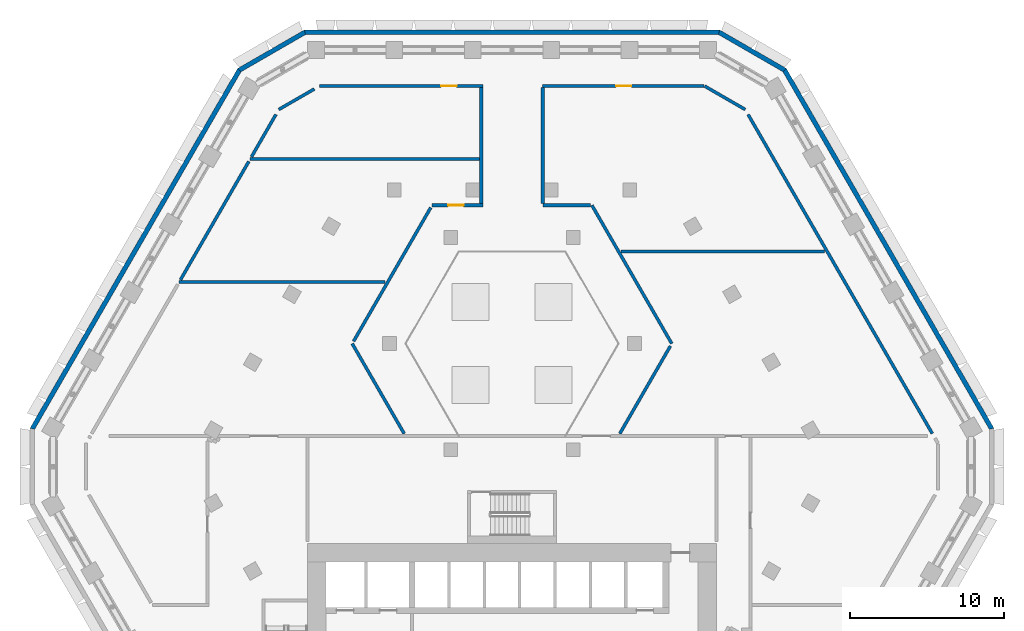
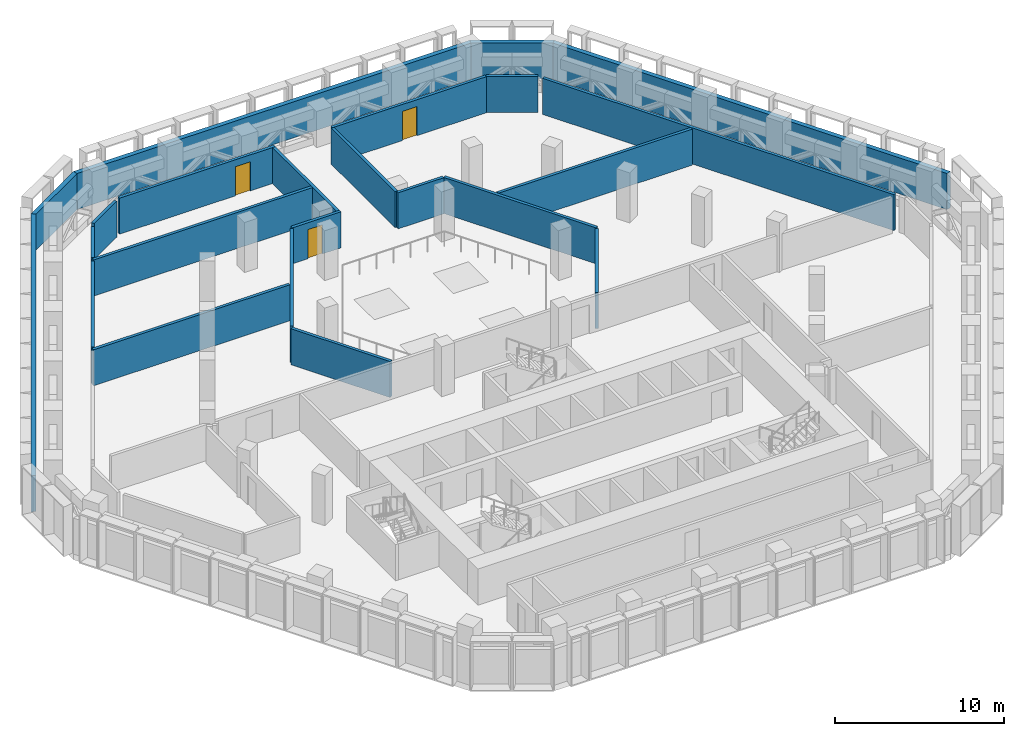
# One storey, part 13 of 22: 23 walls, 3 doors, 3 openings.
"""IFC4 building model written with IfcOpenShell, lengths in metres."""

from ifc_helpers import new_model, si_unit, direction, frame, frame_2d, origin, place, context, subcontext, project, spatial, polyline, rectangle, outline, extrude, material, layer, layer_set, type_object, element, fill, save


model = new_model("IFC4")

# Units and contexts
model_context = context("Model", 3, precision=1e-05, world=origin(), true_north=direction((0.0, 1.0)))
body_context = subcontext(model_context, "Body", "Model", "MODEL_VIEW")
ifc_project = project(units=[si_unit("LENGTHUNIT", "METRE"), si_unit("AREAUNIT", "SQUARE_METRE"), si_unit("VOLUMEUNIT", "CUBIC_METRE"), si_unit("PLANEANGLEUNIT", "RADIAN"), si_unit("MASSUNIT", "GRAM", prefix="KILO")], contexts=[model_context])

# Site, building, storey
site_placement = place(None, origin())
site = spatial("IfcSite", under=ifc_project, at=site_placement, CompositionType="ELEMENT")
building_placement = place(site_placement, origin())
building = spatial("IfcBuilding", under=site, at=building_placement, Name="Beryl Residences", CompositionType="ELEMENT")
storey_placement = place(building_placement, frame((0.0, 0.0, 62.39990234375)))
storey = spatial("IfcBuildingStorey", under=building, at=storey_placement, Name="L19", CompositionType="ELEMENT", Elevation=62.39990234375)

# Walls
ifc_material_1 = material(Name="Composite metal panel with mineral wool insulation")
ifc_layer_1 = layer(ifc_material_1, 0.300048828125)
ifc_layer_set_1 = layer_set([ifc_layer_1], Name="ES1 pale metal composite panel wall 300 mm")
wall_type_1 = type_object("IfcWallType", Name="ES1 pale metal composite panel wall 300 mm", PredefinedType="SOLIDWALL", material=ifc_layer_set_1)
wall_1_placement = place(storey_placement, frame((13.510009765625, 28.25, 0.0), z_axis=(0.0, 0.0, 1.0), x_axis=(-1.0, 0.0, 0.0)))
element("IfcWall", 1, at=wall_1_placement, inside=storey, type_object=wall_type_1, Name="ES1 external wall L19 N", PredefinedType="SOLIDWALL", context=body_context, shape_type="SweptSolid", body=[
    extrude(outline(polyline([(0.0, -0.14990234375), (27.02001953125, -0.14990234375), (26.939697265625, 0.14990234375), (0.080322265625, 0.14990234375), (0.0, -0.14990234375)])), origin(), (0.0, 0.0, 1.0), 2.60009765625),
])
wall_2_placement = place(storey_placement, frame((-13.43505859375, 28.27001953125, 0.0), z_axis=(0.0, 0.0, 1.0), x_axis=(-0.866010750942, -0.50002537861, 0.0)))
element("IfcWall", 2, at=wall_2_placement, inside=storey, type_object=wall_type_1, Name="ES1 external wall L19 N-NW", PredefinedType="SOLIDWALL", context=body_context, shape_type="SweptSolid", body=[
    extrude(outline(polyline([(0.0, -0.14990234375), (4.999755859375, -0.14990234375), (4.91943359375, 0.14990234375), (0.080322265625, 0.14990234375), (0.0, -0.14990234375)])), origin(), (0.0, 0.0, 1.0), 2.60009765625),
])
for number, where, z_axis, x_axis, name in (
    (3, (-17.7099609375, 25.824951171875, 0.0), (0.0, 0.0, 1.0), (-0.500001938803, -0.866024284413, 0.0), "ES1 external wall L19 NW"),
    (4, (31.219970703125, 2.425048828125, 0.0), (0.0, 0.0, 1.0), (-0.500001938803, 0.866024284413, 0.0), "ES1 external wall L19 NE"),
):
    element("IfcWall", number, at=place(storey_placement, frame(where, z_axis=z_axis, x_axis=x_axis)), inside=storey, type_object=wall_type_1, Name=name, PredefinedType="SOLIDWALL", context=body_context, shape_type="SweptSolid", body=[
        extrude(outline(polyline([(0.0, -0.14990234375), (27.02001953125, -0.14990234375), (26.939697265625, 0.14990234375), (0.080322265625, 0.14990234375), (0.0, -0.14990234375)])), origin(), (0.0, 0.0, 1.0), 2.60009765625),
    ])
wall_3_placement = place(storey_placement, frame((17.764892578125, 25.77001953125, 0.0), z_axis=(0.0, 0.0, 1.0), x_axis=(-0.866010750942, 0.50002537861, 0.0)))
element("IfcWall", 5, at=wall_3_placement, inside=storey, type_object=wall_type_1, Name="ES1 external wall L19 NE-N", PredefinedType="SOLIDWALL", context=body_context, shape_type="SweptSolid", body=[
    extrude(outline(polyline([(0.0, -0.14990234375), (4.999755859375, -0.14990234375), (4.91943359375, 0.14990234375), (0.080322265625, 0.14990234375), (0.0, -0.14990234375)])), origin(), (0.0, 0.0, 1.0), 2.60009765625),
])

# Wall, opening, door
ifc_material_2 = material(Name="Concrete masonry", Category="masonry")
ifc_layer_2 = layer(ifc_material_2, 0.199951171875)
ifc_layer_set_2 = layer_set([ifc_layer_2], Name="PT8-200 service room wall 200 mm")
wall_type_2 = type_object("IfcWallType", Name="PT8-200 service room wall 200 mm", PredefinedType="PARTITIONING", material=ifc_layer_set_2)
wall_4_placement = place(storey_placement, frame((-12.531982421875, 24.75, 0.0), z_axis=(0.0, 0.0, 1.0), x_axis=(1.0, 0.0, 0.0)))
wall_4 = element("IfcWall", 6, at=wall_4_placement, inside=storey, type_object=wall_type_2, Name="Wall PT8-200 L19 003", PredefinedType="PARTITIONING", context=body_context, shape_type="SweptSolid", body=[
    extrude(rectangle(XDim=10.632080078125, YDim=0.199951171875, at=frame_2d((5.31591796875, 0.0))), origin(), (0.0, 0.0, 1.0), 2.60009765625),
])
opening_1_placement = place(wall_4_placement, frame((8.927001953125, 0.0, 0.0), z_axis=(0.0, 0.0, 1.0), x_axis=(-1.0, 0.0, 0.0)))
opening_1 = element("IfcOpeningElement", 7, at=opening_1_placement, cuts=wall_4, Name="Opening L19-06", PredefinedType="OPENING", context=body_context, shape_type="SweptSolid", body=[
    extrude(rectangle(XDim=1.0, YDim=2.10009765625, at=frame_2d((0.5, 1.050048828125))), frame((0.0, 0.10986328125, 0.0), z_axis=(0.0, -1.0, 0.0), x_axis=(1.0, 0.0, 0.0)), (0.0, 0.0, 1.0), 0.219970703125),
])
ifc_material_3 = material(Name="Timber door leaf", Category="wood")
door_type_1 = type_object("IfcDoorType", Name="D9 corridor door 1000 x 2100 mm", OperationType="SINGLE_SWING_LEFT", PredefinedType="DOOR", material=ifc_material_3)
door_1_placement = place(opening_1_placement, origin())
door_1 = element("IfcDoor", 8, at=door_1_placement, inside=storey, type_object=door_type_1, Name="Door L19-06 L19 001", OperationType="SINGLE_SWING_LEFT", OverallHeight=2.10009765625, OverallWidth=1.0, PredefinedType="DOOR", context=body_context, shape_type="SweptSolid", body=[
    extrude(rectangle(XDim=1.0, YDim=2.10009765625, at=frame_2d((0.5, 1.050048828125))), frame((0.0, 0.02490234375, 0.0), z_axis=(0.0, -1.0, 0.0), x_axis=(1.0, 0.0, 0.0)), (0.0, 0.0, 1.0), 0.050048828125),
])
fill(opening_1, door_1)

# Walls
wall_5_placement = place(storey_placement, frame((-15.16796875, 23.22802734375, 0.0), z_axis=(0.0, 0.0, 1.0), x_axis=(0.866097299559, 0.499875452184, 0.0)))
element("IfcWall", 9, at=wall_5_placement, inside=storey, type_object=wall_type_2, Name="Wall PT8-200 L19 006", PredefinedType="PARTITIONING", context=body_context, shape_type="SweptSolid", body=[
    extrude(rectangle(XDim=2.670654296875, YDim=0.199951171875, at=frame_2d((1.33544921875, 0.0))), origin(), (0.0, 0.0, 1.0), 2.60009765625),
])
wall_6_placement = place(storey_placement, frame((-16.944091796875, 20.14990234375, 0.0), z_axis=(0.0, 0.0, 1.0), x_axis=(0.499861973965, 0.866105078489, 0.0)))
element("IfcWall", 10, at=wall_6_placement, inside=storey, type_object=wall_type_2, Name="Wall PT8-200 L19 007", PredefinedType="PARTITIONING", context=body_context, shape_type="SweptSolid", body=[
    extrude(rectangle(XDim=3.18115234375, YDim=0.199951171875, at=frame_2d((1.590576171875, 0.0))), origin(), (0.0, 0.0, 1.0), 2.60009765625),
])
ifc_material_4 = material(Name="Concrete C40/50", Category="concrete")
ifc_layer_3 = layer(ifc_material_4, 0.199951171875)
ifc_layer_set_3 = layer_set([ifc_layer_3], Name="PT9-200 plant room wall 200 mm")
wall_type_3 = type_object("IfcWallType", Name="PT9-200 plant room wall 200 mm", PredefinedType="SOLIDWALL", material=ifc_layer_set_3)
wall_7_placement = place(storey_placement, frame((-21.64990234375, 12.0, 0.0), z_axis=(0.0, 0.0, 1.0), x_axis=(1.0, 0.0, 0.0)))
element("IfcWall", 11, at=wall_7_placement, inside=storey, type_object=wall_type_3, Name="Wall PT9-200 L19 006", PredefinedType="SOLIDWALL", context=body_context, shape_type="SweptSolid", body=[
    extrude(rectangle(XDim=13.39697265625, YDim=0.199951171875, at=frame_2d((6.698486328125, 0.0))), origin(), (0.0, 0.0, 1.0), 2.60009765625),
])
wall_8_placement = place(storey_placement, frame((7.097900390625, 14.0, 0.0), z_axis=(0.0, 0.0, 1.0), x_axis=(1.0, 0.0, 0.0)))
element("IfcWall", 12, at=wall_8_placement, inside=storey, type_object=wall_type_3, Name="Wall PT9-200 L19 007", PredefinedType="SOLIDWALL", context=body_context, shape_type="SweptSolid", body=[
    extrude(rectangle(XDim=13.22802734375, YDim=0.199951171875, at=frame_2d((6.614013671875, 0.0))), origin(), (0.0, 0.0, 1.0), 2.60009765625),
])

# Wall, opening, door
wall_9_placement = place(storey_placement, frame((-5.196044921875, 17.0, 0.0), z_axis=(0.0, 0.0, 1.0), x_axis=(1.0, 0.0, 0.0)))
wall_9 = element("IfcWall", 13, at=wall_9_placement, inside=storey, type_object=wall_type_3, Name="Wall PT9-200 L19 008", PredefinedType="SOLIDWALL", context=body_context, shape_type="SweptSolid", body=[
    extrude(rectangle(XDim=3.296142578125, YDim=0.199951171875, at=frame_2d((1.64794921875, 0.0))), origin(), (0.0, 0.0, 1.0), 2.60009765625),
])
opening_2_placement = place(wall_9_placement, frame((1.0419921875, 0.0, 0.0)))
opening_2 = element("IfcOpeningElement", 14, at=opening_2_placement, cuts=wall_9, Name="Opening L19-11", PredefinedType="OPENING", context=body_context, shape_type="SweptSolid", body=[
    extrude(rectangle(XDim=1.0, YDim=2.10009765625, at=frame_2d((0.5, 1.050048828125))), frame((0.0, 0.10986328125, 0.0), z_axis=(0.0, -1.0, 0.0), x_axis=(1.0, 0.0, 0.0)), (0.0, 0.0, 1.0), 0.219970703125),
])
ifc_material_5 = material(Name="Steel door leaf in steel frame", Category="steel")
door_type_2 = type_object("IfcDoorType", Name="D16 plant room door 1000 x 2100 mm", OperationType="SINGLE_SWING_LEFT", PredefinedType="DOOR", material=ifc_material_5)
door_2_placement = place(opening_2_placement, origin())
door_2 = element("IfcDoor", 15, at=door_2_placement, inside=storey, type_object=door_type_2, Name="Door L19-11 L19 001", OperationType="SINGLE_SWING_LEFT", OverallHeight=2.10009765625, OverallWidth=1.0, PredefinedType="DOOR", context=body_context, shape_type="SweptSolid", body=[
    extrude(rectangle(XDim=1.0, YDim=2.10009765625, at=frame_2d((0.5, 1.050048828125))), frame((0.0, 0.02490234375, 0.0), z_axis=(0.0, -1.0, 0.0), x_axis=(1.0, 0.0, 0.0)), (0.0, 0.0, 1.0), 0.050048828125),
])
fill(opening_2, door_2)

# Walls
wall_10_placement = place(storey_placement, frame((2.0, 17.0, 0.0), z_axis=(0.0, 0.0, 1.0), x_axis=(1.0, 0.0, 0.0)))
element("IfcWall", 16, at=wall_10_placement, inside=storey, type_object=wall_type_3, Name="Wall PT9-200 L19 009", PredefinedType="SOLIDWALL", context=body_context, shape_type="SweptSolid", body=[
    extrude(rectangle(XDim=3.115966796875, YDim=0.199951171875, at=frame_2d((1.55810546875, 0.0))), origin(), (0.0, 0.0, 1.0), 2.60009765625),
])
wall_11_placement = place(storey_placement, frame((-17.031005859375, 20.0, 0.0), z_axis=(0.0, 0.0, 1.0), x_axis=(1.0, 0.0, 0.0)))
element("IfcWall", 17, at=wall_11_placement, inside=storey, type_object=wall_type_3, Name="Wall PT9-200 L19 010", PredefinedType="SOLIDWALL", context=body_context, shape_type="SweptSolid", body=[
    extrude(rectangle(XDim=14.930908203125, YDim=0.199951171875, at=frame_2d((7.46533203125, 0.0))), origin(), (0.0, 0.0, 1.0), 2.60009765625),
])

# Wall, opening, door
wall_12_placement = place(storey_placement, frame((2.0, 24.75, 0.0), z_axis=(0.0, 0.0, 1.0), x_axis=(1.0, 0.0, 0.0)))
wall_12 = element("IfcWall", 18, at=wall_12_placement, inside=storey, type_object=wall_type_3, Name="Wall PT9-200 L19 011", PredefinedType="SOLIDWALL", context=body_context, shape_type="SweptSolid", body=[
    extrude(rectangle(XDim=10.48193359375, YDim=0.199951171875, at=frame_2d((5.240966796875, 0.0))), origin(), (0.0, 0.0, 1.0), 2.60009765625),
])
opening_3_placement = place(wall_12_placement, frame((5.76611328125, 0.0, 0.0), z_axis=(0.0, 0.0, 1.0), x_axis=(-1.0, 0.0, 0.0)))
opening_3 = element("IfcOpeningElement", 19, at=opening_3_placement, cuts=wall_12, Name="Opening L19-08", PredefinedType="OPENING", context=body_context, shape_type="SweptSolid", body=[
    extrude(rectangle(XDim=1.0, YDim=2.10009765625, at=frame_2d((0.5, 1.050048828125))), frame((0.0, 0.10986328125, 0.0), z_axis=(0.0, -1.0, 0.0), x_axis=(1.0, 0.0, 0.0)), (0.0, 0.0, 1.0), 0.219970703125),
])
door_3_placement = place(opening_3_placement, origin())
door_3 = element("IfcDoor", 20, at=door_3_placement, inside=storey, type_object=door_type_2, Name="Door L19-08 L19 001", OperationType="SINGLE_SWING_LEFT", OverallHeight=2.10009765625, OverallWidth=1.0, PredefinedType="DOOR", context=body_context, shape_type="SweptSolid", body=[
    extrude(rectangle(XDim=1.0, YDim=2.10009765625, at=frame_2d((0.5, 1.050048828125))), frame((0.0, 0.02490234375, 0.0), z_axis=(0.0, -1.0, 0.0), x_axis=(1.0, 0.0, 0.0)), (0.0, 0.0, 1.0), 0.050048828125),
])
fill(opening_3, door_3)

# Walls
for number, where, z_axis, x_axis, name in (
    (21, (-2.0, 17.10009765625, 0.0), (0.0, 0.0, 1.0), (0.0, 1.0, 0.0), "Wall PT9-200 L19 014"),
    (22, (2.0, 17.10009765625, 0.0), (0.0, 0.0, 1.0), (0.0, 1.0, 0.0), "Wall PT9-200 L19 015"),
):
    element("IfcWall", number, at=place(storey_placement, frame(where, z_axis=z_axis, x_axis=x_axis)), inside=storey, type_object=wall_type_3, Name=name, PredefinedType="SOLIDWALL", context=body_context, shape_type="SweptSolid", body=[
        extrude(rectangle(XDim=7.5498046875, YDim=0.199951171875, at=frame_2d((3.77490234375, 0.0))), origin(), (0.0, 0.0, 1.0), 2.60009765625),
    ])
wall_13_placement = place(storey_placement, frame((12.531982421875, 24.75, 0.0), z_axis=(0.0, 0.0, 1.0), x_axis=(0.866013277291, -0.500021003115, 0.0)))
element("IfcWall", 23, at=wall_13_placement, inside=storey, type_object=wall_type_3, Name="Wall PT9-200 L19 024", PredefinedType="SOLIDWALL", context=body_context, shape_type="SweptSolid", body=[
    extrude(rectangle(XDim=3.043701171875, YDim=0.199951171875, at=frame_2d((1.52197265625, 0.0))), origin(), (0.0, 0.0, 1.0), 2.60009765625),
])
wall_14_placement = place(storey_placement, frame((-10.39208984375, 8.0, 0.0), z_axis=(0.0, 0.0, 1.0), x_axis=(0.500051862572, -0.865995458844, 0.0)))
element("IfcWall", 24, at=wall_14_placement, inside=storey, type_object=wall_type_3, Name="Wall PT9-200 L19 026", PredefinedType="SOLIDWALL", context=body_context, shape_type="SweptSolid", body=[
    extrude(rectangle(XDim=6.757568359375, YDim=0.199951171875, at=frame_2d((3.37890625, 0.0))), origin(), (0.0, 0.0, 1.0), 2.60009765625),
])
wall_15_placement = place(storey_placement, frame((5.196044921875, 17.0, 0.0), z_axis=(0.0, 0.0, 1.0), x_axis=(0.499992241736, -0.866029882974, 0.0)))
element("IfcWall", 25, at=wall_15_placement, inside=storey, type_object=wall_type_3, Name="Wall PT9-200 L19 027", PredefinedType="SOLIDWALL", context=body_context, shape_type="SweptSolid", body=[
    extrude(rectangle(XDim=10.392333984375, YDim=0.199951171875, at=frame_2d((5.1962890625, 0.0))), origin(), (0.0, 0.0, 1.0), 2.60009765625),
])
wall_16_placement = place(storey_placement, frame((15.35498046875, 22.905029296875, 0.0), z_axis=(0.0, 0.0, 1.0), x_axis=(0.499984955192, -0.866034089734, 0.0)))
element("IfcWall", 26, at=wall_16_placement, inside=storey, type_object=wall_type_3, Name="Wall PT9-200 L19 028", PredefinedType="SOLIDWALL", context=body_context, shape_type="SweptSolid", body=[
    extrude(rectangle(XDim=23.964599609375, YDim=0.199951171875, at=frame_2d((11.982421875, 0.0))), origin(), (0.0, 0.0, 1.0), 2.60009765625),
])
wall_17_placement = place(storey_placement, frame((7.012939453125, 2.14794921875, 0.0), z_axis=(0.0, 0.0, 1.0), x_axis=(0.499983511822, 0.866034923029, 0.0)))
element("IfcWall", 27, at=wall_17_placement, inside=storey, type_object=wall_type_3, Name="Wall PT9-200 L19 032", PredefinedType="SOLIDWALL", context=body_context, shape_type="SweptSolid", body=[
    extrude(rectangle(XDim=6.584228515625, YDim=0.199951171875, at=frame_2d((3.2919921875, 0.0))), origin(), (0.0, 0.0, 1.0), 2.60009765625),
])
wall_18_placement = place(storey_placement, frame((-10.304931640625, 8.14990234375, 0.0), z_axis=(0.0, 0.0, 1.0), x_axis=(0.49988797692, 0.86609007068, 0.0)))
element("IfcWall", 28, at=wall_18_placement, inside=storey, type_object=wall_type_3, Name="Wall PT9-200 L19 033", PredefinedType="SOLIDWALL", context=body_context, shape_type="SweptSolid", body=[
    extrude(rectangle(XDim=10.044189453125, YDim=0.199951171875, at=frame_2d((5.02197265625, 0.0))), origin(), (0.0, 0.0, 1.0), 2.60009765625),
])
wall_19_placement = place(storey_placement, frame((-21.56298828125, 12.14990234375, 0.0), z_axis=(0.0, 0.0, 1.0), x_axis=(0.499945887847, 0.866056643197, 0.0)))
element("IfcWall", 29, at=wall_19_placement, inside=storey, type_object=wall_type_3, Name="Wall PT9-200 L19 036", PredefinedType="SOLIDWALL", context=body_context, shape_type="SweptSolid", body=[
    extrude(rectangle(XDim=8.89111328125, YDim=0.199951171875, at=frame_2d((4.445556640625, 0.0))), origin(), (0.0, 0.0, 1.0), 2.60009765625),
])

save(model, "model.ifc")
